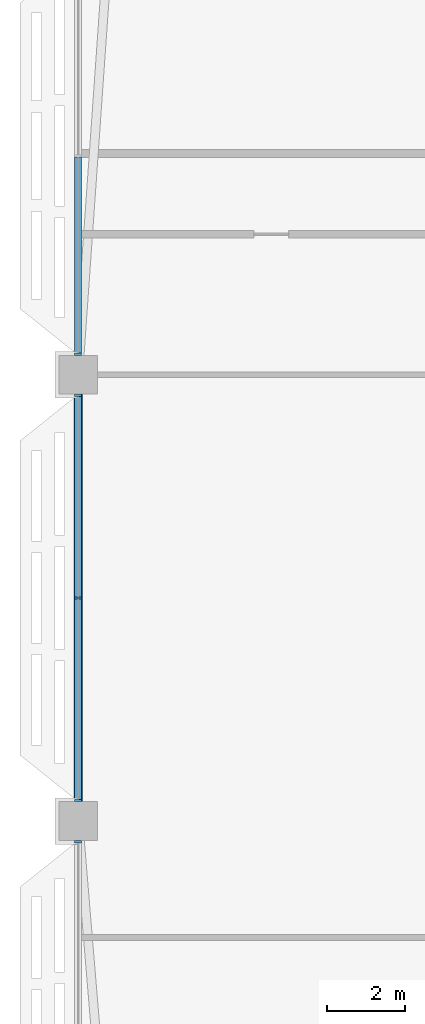
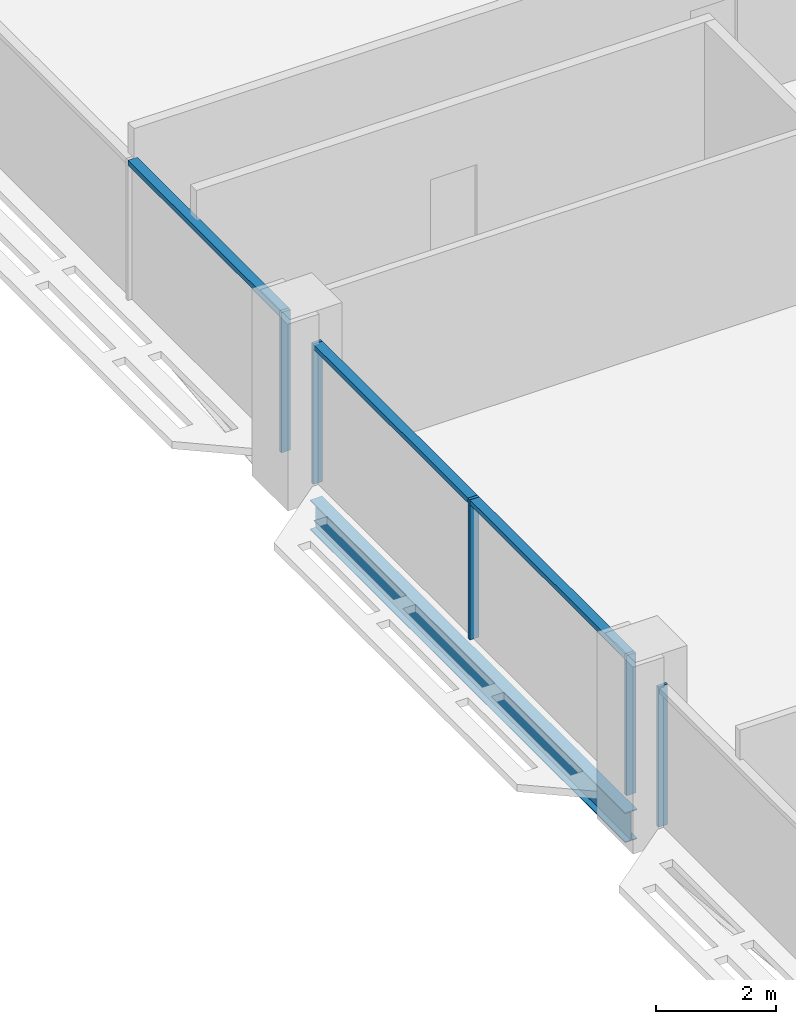
# One storey, part 7 of 32: 8 members, 1 beam, 3 elements without a shape of their own.
"""IFC4 building model written with IfcOpenShell, lengths in metres."""

from ifc_helpers import new_model, si_unit, direction, frame, origin, origin_2d, place, context, subcontext, project, spatial, rectangle, i_section, extrude, material, material_profile, profile_set, type_object, element, aggregate, save


model = new_model("IFC4")

# Units and contexts
model_context = context("Model", 3, precision=1e-05, world=origin(), true_north=direction((0.0, 1.0)))
body_context = subcontext(model_context, "Body", "Model", "MODEL_VIEW")
ifc_project = project(units=[si_unit("LENGTHUNIT", "METRE"), si_unit("AREAUNIT", "SQUARE_METRE"), si_unit("VOLUMEUNIT", "CUBIC_METRE"), si_unit("PLANEANGLEUNIT", "RADIAN"), si_unit("MASSUNIT", "GRAM", prefix="KILO")], contexts=[model_context])

# Site, building, storey
site_placement = place(None, origin())
site = spatial("IfcSite", under=ifc_project, at=site_placement, CompositionType="ELEMENT")
building_placement = place(site_placement, origin())
building = spatial("IfcBuilding", under=site, at=building_placement, Name="Mahtab Terrace Research Tower", CompositionType="ELEMENT")
storey_placement = place(building_placement, frame((0.0, 0.0, 236.199951171875)))
storey = spatial("IfcBuildingStorey", under=building, at=storey_placement, Name="L57", CompositionType="ELEMENT", Elevation=236.199951171875)

# Curtain wall, member
ifc_material_1 = material(Name="Office ribbon curtain wall")
curtain_wall_type = type_object("IfcCurtainWallType", Name="Office ribbon curtain wall", PredefinedType="NOTDEFINED", material=ifc_material_1)
curtain_wall_1_placement = place(storey_placement, origin())
curtain_wall_1 = element("IfcCurtainWall", 1, at=curtain_wall_1_placement, inside=storey, type_object=curtain_wall_type, Name="EN.L57.8.8", PredefinedType="NOTDEFINED")
ifc_material_2 = material(Name="Natural anodised aluminium", Category="aluminium")
ifc_material_profile_1 = material_profile(ifc_material_2, rectangle(XDim=0.179931640625, YDim=0.06005859375, at=origin_2d()), Name="MULLION 60x180")
ifc_profile_set_1 = profile_set([ifc_material_profile_1], Name="Natural anodised aluminium")
member_type_1 = type_object("IfcMemberType", Name="Office ribbon curtain wall mullion", PredefinedType="MULLION", material=ifc_profile_set_1)
member_1_placement = place(storey_placement, frame((-42.0, 12.030029296875, 0.0), z_axis=(0.0, 0.0, 1.0), x_axis=(1.0, 0.0, 0.0)))
member_1 = element("IfcMember", 2, at=member_1_placement, type_object=member_type_1, Name="CWO-7 mullion 3", PredefinedType="MULLION", context=body_context, shape_type="SweptSolid", body=[
    extrude(rectangle(XDim=0.179931640625, YDim=0.06005859375, at=origin_2d()), origin(), (0.0, 0.0, 1.0), 2.85302734375),
])

# Curtain wall, members
curtain_wall_2_placement = place(storey_placement, origin())
curtain_wall_2 = element("IfcCurtainWall", 3, at=curtain_wall_2_placement, inside=storey, type_object=curtain_wall_type, Name="EN.L57.8.9", PredefinedType="NOTDEFINED")
member_2_placement = place(storey_placement, frame((-42.0, 10.969970703125, 0.0), z_axis=(0.0, 0.0, 1.0), x_axis=(1.0, 0.0, 0.0)))
member_2 = element("IfcMember", 4, at=member_2_placement, type_object=member_type_1, Name="CWO-7 mullion 1", PredefinedType="MULLION", context=body_context, shape_type="SweptSolid", body=[
    extrude(rectangle(XDim=0.179931640625, YDim=0.06005859375, at=origin_2d()), origin(), (0.0, 0.0, 1.0), 2.85302734375),
])
member_3_placement = place(storey_placement, frame((-42.0, 5.75, 0.0), z_axis=(0.0, 0.0, 1.0), x_axis=(1.0, 0.0, 0.0)))
member_3 = element("IfcMember", 5, at=member_3_placement, type_object=member_type_1, Name="CWO-7 mullion 2", PredefinedType="MULLION", context=body_context, shape_type="SweptSolid", body=[
    extrude(rectangle(XDim=0.179931640625, YDim=0.06005859375, at=origin_2d()), origin(), (0.0, 0.0, 1.0), 2.85302734375),
])
member_4_placement = place(storey_placement, frame((-42.0, 0.530029296875, 0.0), z_axis=(0.0, 0.0, 1.0), x_axis=(1.0, 0.0, 0.0)))
member_4 = element("IfcMember", 6, at=member_4_placement, type_object=member_type_1, Name="CWO-7 mullion 3", PredefinedType="MULLION", context=body_context, shape_type="SweptSolid", body=[
    extrude(rectangle(XDim=0.179931640625, YDim=0.06005859375, at=origin_2d()), origin(), (0.0, 0.0, 1.0), 2.85302734375),
])

# Curtain wall, member
curtain_wall_3_placement = place(storey_placement, origin())
curtain_wall_3 = element("IfcCurtainWall", 7, at=curtain_wall_3_placement, inside=storey, type_object=curtain_wall_type, Name="EN.L57.8.10", PredefinedType="NOTDEFINED")
member_5_placement = place(storey_placement, frame((-42.0, -0.530029296875, 0.0), z_axis=(0.0, 0.0, 1.0), x_axis=(1.0, 0.0, 0.0)))
member_5 = element("IfcMember", 8, at=member_5_placement, type_object=member_type_1, Name="CWO-7 mullion 1", PredefinedType="MULLION", context=body_context, shape_type="SweptSolid", body=[
    extrude(rectangle(XDim=0.179931640625, YDim=0.06005859375, at=origin_2d()), origin(), (0.0, 0.0, 1.0), 2.85302734375),
])
aggregate(curtain_wall_3, [member_5])

# Member
ifc_material_profile_2 = material_profile(ifc_material_2, rectangle(XDim=0.179931640625, YDim=0.10009765625, at=origin_2d()), Name="TRANSOM 100x180")
ifc_profile_set_2 = profile_set([ifc_material_profile_2], Name="Natural anodised aluminium")
member_type_2 = type_object("IfcMemberType", Name="Office ribbon curtain wall transom", PredefinedType="USERDEFINED", material=ifc_profile_set_2)
member_6_placement = place(storey_placement, frame((-42.0, 17.10888671875, 2.802978515625), z_axis=(0.0, -1.0, 0.0), x_axis=(1.0, 0.0, 0.0)))
member_6 = element("IfcMember", 9, at=member_6_placement, type_object=member_type_2, Name="CWO-7 transom 2", ObjectType="TRANSOM", PredefinedType="USERDEFINED", context=body_context, shape_type="SweptSolid", body=[
    extrude(rectangle(XDim=0.179931640625, YDim=0.10009765625, at=origin_2d()), origin(), (0.0, 0.0, 1.0), 5.048828125),
])

aggregate(curtain_wall_1, [member_1, member_6])

member_7_placement = place(storey_placement, frame((-42.0, 10.93994140625, 2.802978515625), z_axis=(0.0, -1.0, 0.0), x_axis=(1.0, 0.0, 0.0)))
member_7 = element("IfcMember", 10, at=member_7_placement, type_object=member_type_2, Name="CWO-7 transom 1", ObjectType="TRANSOM", PredefinedType="USERDEFINED", context=body_context, shape_type="SweptSolid", body=[
    extrude(rectangle(XDim=0.179931640625, YDim=0.10009765625, at=origin_2d()), origin(), (0.0, 0.0, 1.0), 5.159912109375),
])

member_8_placement = place(storey_placement, frame((-42.0, 5.719970703125, 2.802978515625), z_axis=(0.0, -1.0, 0.0), x_axis=(1.0, 0.0, 0.0)))
member_8 = element("IfcMember", 11, at=member_8_placement, type_object=member_type_2, Name="CWO-7 transom 2", ObjectType="TRANSOM", PredefinedType="USERDEFINED", context=body_context, shape_type="SweptSolid", body=[
    extrude(rectangle(XDim=0.179931640625, YDim=0.10009765625, at=origin_2d()), origin(), (0.0, 0.0, 1.0), 5.159912109375),
])

aggregate(curtain_wall_2, [member_2, member_3, member_4, member_7, member_8])

# Beam
ifc_material_3 = material(Name="Steel ASTM A992 Gr 50", Category="steel")
ifc_material_profile_3 = material_profile(ifc_material_3, i_section(OverallWidth=0.228271484375, OverallDepth=0.607177734375, WebThickness=0.01123046875, FlangeThickness=0.017333984375, at=origin_2d()), Name="W24X76")
ifc_profile_set_3 = profile_set([ifc_material_profile_3], Name="Steel ASTM A992 Gr 50")
beam_type = type_object("IfcBeamType", Name="W24x76 beam BS2476", PredefinedType="BEAM", material=ifc_profile_set_3)
beam_placement = place(storey_placement, frame((-42.0, 11.0, -0.6435546875), z_axis=(0.0, -1.0, 0.0), x_axis=(1.0, 0.0, 0.0)))
element("IfcBeam", 12, at=beam_placement, inside=storey, type_object=beam_type, Name="Spandrel beam L57 10", PredefinedType="BEAM", context=body_context, shape_type="SweptSolid", body=[
    extrude(i_section(OverallWidth=0.228271484375, OverallDepth=0.607177734375, WebThickness=0.01123046875, FlangeThickness=0.017333984375, at=origin_2d()), origin(), (0.0, 0.0, 1.0), 10.5),
])

save(model, "model.ifc")
